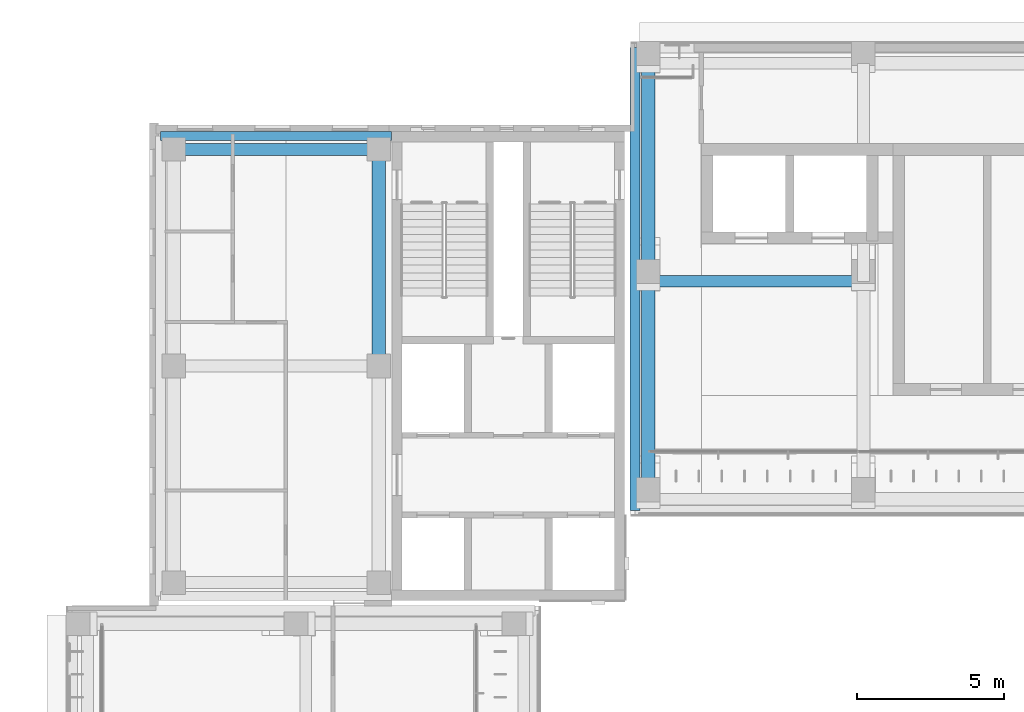
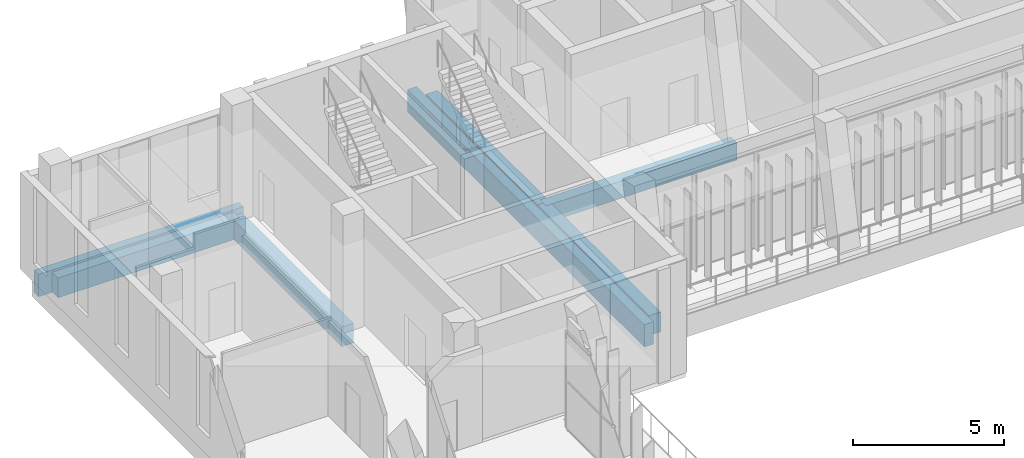
# One storey, part 31 of 89: 7 beams.
"""IFC4 building model written with IfcOpenShell, lengths in metres."""

from ifc_helpers import new_model, si_unit, direction, frame, origin, origin_2d, place, context, subcontext, project, spatial, rectangle, extrude, material, material_profile, profile_set, type_object, element, save


model = new_model("IFC4")

# Units and contexts
model_context = context("Model", 3, precision=1e-05, world=origin(), true_north=direction((0.0, 1.0)))
body_context = subcontext(model_context, "Body", "Model", "MODEL_VIEW")
ifc_project = project(units=[si_unit("LENGTHUNIT", "METRE"), si_unit("AREAUNIT", "SQUARE_METRE"), si_unit("VOLUMEUNIT", "CUBIC_METRE"), si_unit("PLANEANGLEUNIT", "RADIAN"), si_unit("MASSUNIT", "GRAM", prefix="KILO")], contexts=[model_context])

# Site, building, storey
site_placement = place(None, origin())
site = spatial("IfcSite", under=ifc_project, at=site_placement, CompositionType="ELEMENT")
building_placement = place(site_placement, origin())
building = spatial("IfcBuilding", under=site, at=building_placement, Name="Lantern Court Media Centre", CompositionType="ELEMENT")
storey_placement = place(building_placement, frame((0.0, 0.0, 14.39990234375)))
storey = spatial("IfcBuildingStorey", under=building, at=storey_placement, Name="L03", CompositionType="ELEMENT", Elevation=14.39990234375)

# Beams
ifc_material = material(Name="Concrete C35", Category="concrete")
ifc_material_profile_1 = material_profile(ifc_material, rectangle(XDim=0.300048828125, YDim=0.89990234375, at=origin_2d()), Name="RC 300x900")
ifc_profile_set_1 = profile_set([ifc_material_profile_1], Name="Concrete C35")
beam_type_1 = type_object("IfcBeamType", Name="RC BEAM 300x900", PredefinedType="BEAM", material=ifc_profile_set_1)
beam_1_placement = place(storey_placement, frame((8.14990234375, 111.85009765625, -0.449951171875), z_axis=(1.0, 0.0, 0.0), x_axis=(0.0, 1.0, 0.0)))
element("IfcBeam", 1, at=beam_1_placement, inside=storey, type_object=beam_type_1, Name="EB-NW-L03-N", PredefinedType="BEAM", context=body_context, shape_type="SweptSolid", body=[
    extrude(rectangle(XDim=0.300048828125, YDim=0.89990234375, at=origin_2d()), origin(), (0.0, 0.0, 1.0), 7.830078125),
])
ifc_material_profile_2 = material_profile(ifc_material, rectangle(XDim=0.35009765625, YDim=0.89990234375, at=origin_2d()), Name="RC 350x900")
ifc_profile_set_2 = profile_set([ifc_material_profile_2], Name="Concrete C35")
beam_type_2 = type_object("IfcBeamType", Name="RC BEAM 350x900", PredefinedType="BEAM", material=ifc_profile_set_2)
beam_2_placement = place(storey_placement, frame((24.25, 99.14990234375, -0.449951171875), z_axis=(0.0, 1.0, 0.0), x_axis=(-1.0, 0.0, 0.0)))
element("IfcBeam", 2, at=beam_2_placement, inside=storey, type_object=beam_type_2, Name="EB-N-L03-C", PredefinedType="BEAM", context=body_context, shape_type="SweptSolid", body=[
    extrude(rectangle(XDim=0.35009765625, YDim=0.89990234375, at=origin_2d()), origin(), (0.0, 0.0, 1.0), 15.7001953125),
])
ifc_material_profile_3 = material_profile(ifc_material, rectangle(XDim=0.39990234375, YDim=0.699951171875, at=origin_2d()), Name="RC 400x700")
ifc_profile_set_3 = profile_set([ifc_material_profile_3], Name="Concrete C35")
beam_type_3 = type_object("IfcBeamType", Name="RC BEAM 400x700", PredefinedType="BEAM", material=ifc_profile_set_3)
beam_3_placement = place(storey_placement, frame((24.699951171875, 106.927001953125, -0.349853515625), z_axis=(1.0, 0.0, 0.0), x_axis=(0.0, 1.0, 0.0)))
element("IfcBeam", 3, at=beam_3_placement, inside=storey, type_object=beam_type_3, Name="LB-N-L03-1-0", PredefinedType="BEAM", context=body_context, shape_type="SweptSolid", body=[
    extrude(rectangle(XDim=0.39990234375, YDim=0.699951171875, at=origin_2d()), origin(), (0.0, 0.0, 1.0), 7.300048828125),
])
ifc_material_profile_4 = material_profile(ifc_material, rectangle(XDim=0.39990234375, YDim=0.800048828125, at=origin_2d()), Name="RC 400x800")
ifc_profile_set_4 = profile_set([ifc_material_profile_4], Name="Concrete C35")
beam_type_4 = type_object("IfcBeamType", Name="RC BEAM 400x800", PredefinedType="BEAM", material=ifc_profile_set_4)
beam_4_placement = place(storey_placement, frame((8.60009765625, 111.39990234375, -0.39990234375), z_axis=(1.0, 0.0, 0.0), x_axis=(0.0, 1.0, 0.0)))
element("IfcBeam", 4, at=beam_4_placement, inside=storey, type_object=beam_type_4, Name="BB-NW-L03-Y0-111", PredefinedType="BEAM", context=body_context, shape_type="SweptSolid", body=[
    extrude(rectangle(XDim=0.39990234375, YDim=0.800048828125, at=origin_2d()), origin(), (0.0, 0.0, 1.0), 6.949951171875),
])
ifc_material_profile_5 = material_profile(ifc_material, rectangle(XDim=0.449951171875, YDim=0.800048828125, at=origin_2d()), Name="RC 450x800")
ifc_profile_set_5 = profile_set([ifc_material_profile_5], Name="Concrete C35")
beam_type_5 = type_object("IfcBeamType", Name="RC BEAM 450x800", PredefinedType="BEAM", material=ifc_profile_set_5)
beam_5_placement = place(storey_placement, frame((15.550048828125, 104.050048828125, -0.39990234375), z_axis=(0.0, 1.0, 0.0), x_axis=(-1.0, 0.0, 0.0)))
element("IfcBeam", 5, at=beam_5_placement, inside=storey, type_object=beam_type_5, Name="BB-NW-L03-X1-15", PredefinedType="BEAM", context=body_context, shape_type="SweptSolid", body=[
    extrude(rectangle(XDim=0.449951171875, YDim=0.800048828125, at=origin_2d()), origin(), (0.0, 0.0, 1.0), 7.349853515625),
])
beam_6_placement = place(storey_placement, frame((24.699951171875, 99.5166015625, -0.39990234375), z_axis=(0.0, 1.0, 0.0), x_axis=(-1.0, 0.0, 0.0)))
element("IfcBeam", 6, at=beam_6_placement, inside=storey, type_object=beam_type_5, Name="TB-N-L03-0-1", PredefinedType="BEAM", context=body_context, shape_type="SweptSolid", body=[
    extrude(rectangle(XDim=0.449951171875, YDim=0.800048828125, at=origin_2d()), origin(), (0.0, 0.0, 1.0), 7.400146484375),
])
beam_7_placement = place(storey_placement, frame((24.699951171875, 106.916748046875, -0.39990234375), z_axis=(0.0, 1.0, 0.0), x_axis=(-1.0, 0.0, 0.0)))
element("IfcBeam", 7, at=beam_7_placement, inside=storey, type_object=beam_type_5, Name="TB-N-L03-0-2", PredefinedType="BEAM", context=body_context, shape_type="SweptSolid", body=[
    extrude(rectangle(XDim=0.449951171875, YDim=0.800048828125, at=origin_2d()), origin(), (0.0, 0.0, 1.0), 7.39990234375),
])

save(model, "model.ifc")
